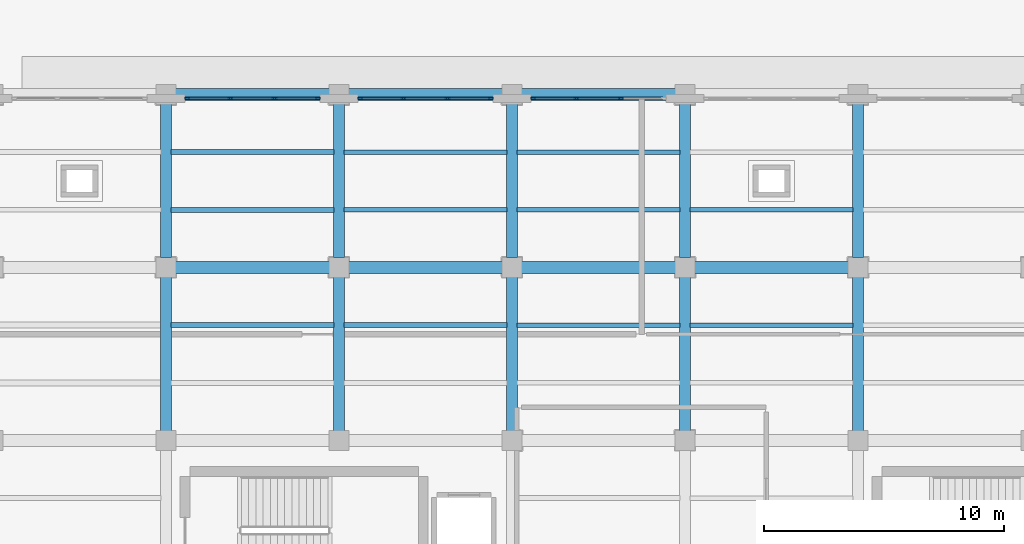
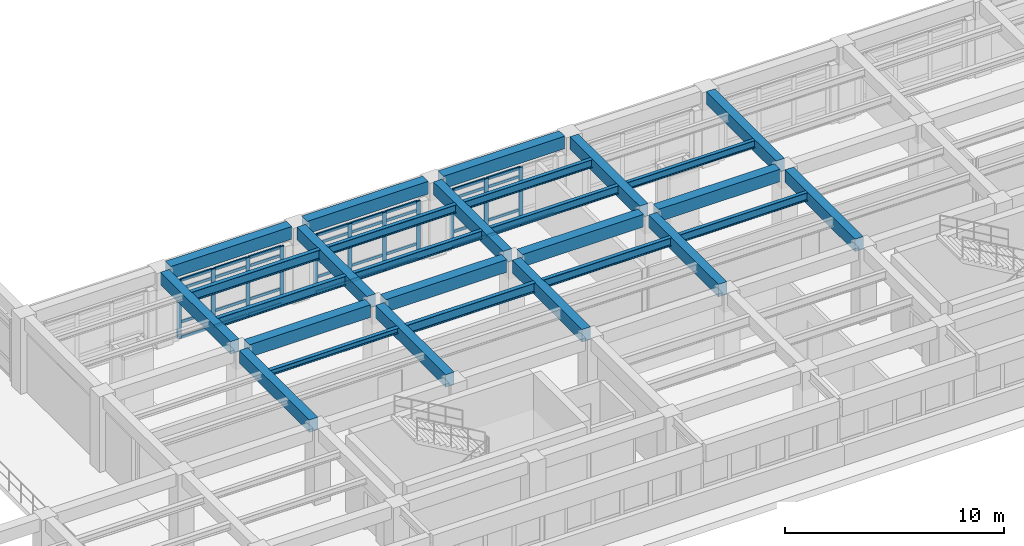
# One storey, part 43 of 98: 44 members, 28 beams, 3 elements without a shape of their own.
"""IFC4 building model written with IfcOpenShell, lengths in metres."""

from ifc_helpers import new_model, si_unit, direction, frame, origin, origin_2d, place, context, subcontext, project, spatial, rectangle, i_section, extrude, material, layer, layer_set, material_profile, profile_set, type_object, element, aggregate, save


model = new_model("IFC4")

# Units and contexts
model_context = context("Model", 3, precision=1e-05, world=origin(), true_north=direction((0.0, 1.0)))
body_context = subcontext(model_context, "Body", "Model", "MODEL_VIEW")
ifc_project = project(units=[si_unit("LENGTHUNIT", "METRE"), si_unit("AREAUNIT", "SQUARE_METRE"), si_unit("VOLUMEUNIT", "CUBIC_METRE"), si_unit("PLANEANGLEUNIT", "RADIAN"), si_unit("MASSUNIT", "GRAM", prefix="KILO")], contexts=[model_context])

# Site, building, storey
site_placement = place(None, origin())
site = spatial("IfcSite", under=ifc_project, at=site_placement, CompositionType="ELEMENT")
building_placement = place(site_placement, origin())
building = spatial("IfcBuilding", under=site, at=building_placement, Name="Solenvale Faculty of Natural Sciences", CompositionType="ELEMENT")
storey_placement = place(building_placement, frame((0.0, 0.0, 9.0)))
storey = spatial("IfcBuildingStorey", under=building, at=storey_placement, Name="L02", CompositionType="ELEMENT", Elevation=9.0)

# Beams
ifc_material_1 = material(Name="Concrete 40 MPa", Category="concrete")
ifc_material_profile_1 = material_profile(ifc_material_1, rectangle(XDim=0.449951171875, YDim=0.699951171875, at=origin_2d()), Name="RC-BM-450x700")
ifc_profile_set_1 = profile_set([ifc_material_profile_1], Name="Concrete 40 MPa")
beam_type_1 = type_object("IfcBeamType", Name="BM-RC-450x700", PredefinedType="BEAM", material=ifc_profile_set_1)
for number, where, z_axis, x_axis, name in (
    (1, (64.800048828125, 29.205078125, 3.8701171875), (0.0, 1.0, 0.0), (-1.0, 0.0, 0.0), "L02 Y-Girder X64.8 (28.8..36.0)"),
    (2, (64.800048828125, 36.405029296875, 3.8701171875), (0.0, 1.0, 0.0), (-1.0, 0.0, 0.0), "L02 Y-Girder X64.8 (36.0..43.2)"),
    (3, (72.0, 29.205078125, 3.8701171875), (0.0, 1.0, 0.0), (-1.0, 0.0, 0.0), "L02 Y-Girder X72.0 (28.8..36.0)"),
    (4, (72.0, 36.405029296875, 3.8701171875), (0.0, 1.0, 0.0), (-1.0, 0.0, 0.0), "L02 Y-Girder X72.0 (36.0..43.2)"),
    (5, (79.199951171875, 29.205078125, 3.8701171875), (0.0, 1.0, 0.0), (-1.0, 0.0, 0.0), "L02 Y-Girder X79.2 (28.8..36.0)"),
    (6, (79.199951171875, 36.405029296875, 3.8701171875), (0.0, 1.0, 0.0), (-1.0, 0.0, 0.0), "L02 Y-Girder X79.2 (36.0..43.2)"),
    (7, (86.39990234375, 29.205078125, 3.8701171875), (0.0, 1.0, 0.0), (-1.0, 0.0, 0.0), "L02 Y-Girder X86.4 (28.8..36.0)"),
    (8, (86.39990234375, 36.405029296875, 3.8701171875), (0.0, 1.0, 0.0), (-1.0, 0.0, 0.0), "L02 Y-Girder X86.4 (36.0..43.2)"),
    (9, (93.60009765625, 29.205078125, 3.8701171875), (0.0, 1.0, 0.0), (-1.0, 0.0, 0.0), "L02 Y-Girder X93.6 (28.8..36.0)"),
    (10, (93.60009765625, 36.405029296875, 3.8701171875), (0.0, 1.0, 0.0), (-1.0, 0.0, 0.0), "L02 Y-Girder X93.6 (36.0..43.2)"),
):
    element("IfcBeam", number, at=place(storey_placement, frame(where, z_axis=z_axis, x_axis=x_axis)), inside=storey, type_object=beam_type_1, Name=name, PredefinedType="BEAM", context=body_context, shape_type="SweptSolid", body=[
        extrude(rectangle(XDim=0.449951171875, YDim=0.699951171875, at=origin_2d()), origin(), (0.0, 0.0, 1.0), 6.389892578125),
    ])
ifc_material_profile_2 = material_profile(ifc_material_1, rectangle(XDim=0.5, YDim=0.699951171875, at=origin_2d()), Name="RC-BM-500x700")
ifc_profile_set_2 = profile_set([ifc_material_profile_2], Name="Concrete 40 MPa")
beam_type_2 = type_object("IfcBeamType", Name="BM-RC-500x700", PredefinedType="BEAM", material=ifc_profile_set_2)
for number, where, z_axis, x_axis, name in (
    (11, (65.205078125, 36.0, 3.8701171875), (1.0, 0.0, 0.0), (0.0, 1.0, 0.0), "L02 X-Girder Y36.0 (64.8..72.0)"),
    (12, (72.405029296875, 36.0, 3.8701171875), (1.0, 0.0, 0.0), (0.0, 1.0, 0.0), "L02 X-Girder Y36.0 (72.0..79.2)"),
):
    element("IfcBeam", number, at=place(storey_placement, frame(where, z_axis=z_axis, x_axis=x_axis)), inside=storey, type_object=beam_type_2, Name=name, PredefinedType="BEAM", context=body_context, shape_type="SweptSolid", body=[
        extrude(rectangle(XDim=0.5, YDim=0.699951171875, at=origin_2d()), origin(), (0.0, 0.0, 1.0), 6.389892578125),
    ])
for number, where, z_axis, x_axis, name in (
    (13, (79.60498046875, 36.0, 3.8701171875), (1.0, 0.0, 0.0), (0.0, 1.0, 0.0), "L02 X-Girder Y36.0 (79.2..86.4)"),
    (14, (86.804931640625, 36.0, 3.8701171875), (1.0, 0.0, 0.0), (0.0, 1.0, 0.0), "L02 X-Girder Y36.0 (86.4..93.6)"),
):
    element("IfcBeam", number, at=place(storey_placement, frame(where, z_axis=z_axis, x_axis=x_axis)), inside=storey, type_object=beam_type_2, Name=name, PredefinedType="BEAM", context=body_context, shape_type="SweptSolid", body=[
        extrude(rectangle(XDim=0.5, YDim=0.699951171875, at=origin_2d()), origin(), (0.0, 0.0, 1.0), 6.39013671875),
    ])
for number, where, z_axis, x_axis, name in (
    (15, (65.205078125, 43.199951171875, 3.8701171875), (1.0, 0.0, 0.0), (0.0, 1.0, 0.0), "L02 X-Girder Y43.2 (64.8..72.0)"),
    (16, (72.405029296875, 43.199951171875, 3.8701171875), (1.0, 0.0, 0.0), (0.0, 1.0, 0.0), "L02 X-Girder Y43.2 (72.0..79.2)"),
):
    element("IfcBeam", number, at=place(storey_placement, frame(where, z_axis=z_axis, x_axis=x_axis)), inside=storey, type_object=beam_type_2, Name=name, PredefinedType="BEAM", context=body_context, shape_type="SweptSolid", body=[
        extrude(rectangle(XDim=0.5, YDim=0.699951171875, at=origin_2d()), origin(), (0.0, 0.0, 1.0), 6.389892578125),
    ])
beam_1_placement = place(storey_placement, frame((79.60498046875, 43.199951171875, 3.8701171875), z_axis=(1.0, 0.0, 0.0), x_axis=(0.0, 1.0, 0.0)))
element("IfcBeam", 17, at=beam_1_placement, inside=storey, type_object=beam_type_2, Name="L02 X-Girder Y43.2 (79.2..86.4)", PredefinedType="BEAM", context=body_context, shape_type="SweptSolid", body=[
    extrude(rectangle(XDim=0.5, YDim=0.699951171875, at=origin_2d()), origin(), (0.0, 0.0, 1.0), 6.39013671875),
])
ifc_material_2 = material(Name="Steel S355", Category="steel")
ifc_material_profile_3 = material_profile(ifc_material_2, i_section(OverallWidth=0.202880859375, OverallDepth=0.302978515625, WebThickness=0.007568359375, FlangeThickness=0.01318359375, FilletRadius=0.014892578125, at=origin_2d()), Name="W310x60")
ifc_profile_set_3 = profile_set([ifc_material_profile_3], Name="Steel S355")
beam_type_3 = type_object("IfcBeamType", Name="BM-STL-W310x60", PredefinedType="JOIST", material=ifc_profile_set_3)
beam_2_placement = place(storey_placement, frame((65.0048828125, 33.60009765625, 4.068603515625), z_axis=(1.0, 0.0, 0.0), x_axis=(0.0, 1.0, 0.0)))
element("IfcBeam", 18, at=beam_2_placement, inside=storey, type_object=beam_type_3, Name="L02 Composite Floor Joist (10,5).2", PredefinedType="JOIST", context=body_context, shape_type="SweptSolid", body=[
    extrude(i_section(OverallWidth=0.202880859375, OverallDepth=0.302978515625, WebThickness=0.007568359375, FlangeThickness=0.01318359375, FilletRadius=0.014892578125, at=origin_2d()), origin(), (0.0, 0.0, 1.0), 6.7900390625),
])
ifc_material_profile_4 = material_profile(ifc_material_2, i_section(OverallWidth=0.180908203125, OverallDepth=0.4169921875, WebThickness=0.010986328125, FlangeThickness=0.018310546875, FilletRadius=0.01611328125, at=origin_2d()), Name="W410x85")
ifc_profile_set_4 = profile_set([ifc_material_profile_4], Name="Steel S355")
beam_type_4 = type_object("IfcBeamType", Name="BM-STL-W410x85", PredefinedType="JOIST", material=ifc_profile_set_4)
beam_3_placement = place(storey_placement, frame((86.60498046875, 38.39990234375, 4.011474609375), z_axis=(1.0, 0.0, 0.0), x_axis=(0.0, 1.0, 0.0)))
element("IfcBeam", 19, at=beam_3_placement, inside=storey, type_object=beam_type_4, Name="L02 Composite Floor Joist (13,6).1", PredefinedType="JOIST", context=body_context, shape_type="SweptSolid", body=[
    extrude(i_section(OverallWidth=0.180908203125, OverallDepth=0.4169921875, WebThickness=0.010986328125, FlangeThickness=0.018310546875, FilletRadius=0.01611328125, at=origin_2d()), origin(), (0.0, 0.0, 1.0), 6.7900390625),
])
ifc_material_profile_5 = material_profile(ifc_material_2, i_section(OverallWidth=0.194091796875, OverallDepth=0.468994140625, WebThickness=0.0126953125, FlangeThickness=0.0205078125, FilletRadius=0.01806640625, at=origin_2d()), Name="W460x106")
ifc_profile_set_5 = profile_set([ifc_material_profile_5], Name="Steel S355")
beam_type_5 = type_object("IfcBeamType", Name="BM-STL-W460x106", PredefinedType="JOIST", material=ifc_profile_set_5)
for number, where, z_axis, x_axis, name in (
    (20, (72.205078125, 38.39990234375, 3.985595703125), (1.0, 0.0, 0.0), (0.0, 1.0, 0.0), "L02 Composite Floor Joist (11,6).1"),
    (21, (72.205078125, 40.800048828125, 3.985595703125), (1.0, 0.0, 0.0), (0.0, 1.0, 0.0), "L02 Composite Floor Joist (11,6).2"),
    (22, (79.405029296875, 33.60009765625, 3.985595703125), (1.0, 0.0, 0.0), (0.0, 1.0, 0.0), "L02 Composite Floor Joist (12,5).2"),
):
    element("IfcBeam", number, at=place(storey_placement, frame(where, z_axis=z_axis, x_axis=x_axis)), inside=storey, type_object=beam_type_5, Name=name, PredefinedType="JOIST", context=body_context, shape_type="SweptSolid", body=[
        extrude(i_section(OverallWidth=0.194091796875, OverallDepth=0.468994140625, WebThickness=0.0126953125, FlangeThickness=0.0205078125, FilletRadius=0.01806640625, at=origin_2d()), origin(), (0.0, 0.0, 1.0), 6.7900390625),
    ])
ifc_material_profile_6 = material_profile(ifc_material_2, i_section(OverallWidth=0.19091796875, OverallDepth=0.4599609375, WebThickness=0.010009765625, FlangeThickness=0.01611328125, FilletRadius=0.01806640625, at=origin_2d()), Name="W460x82")
ifc_profile_set_6 = profile_set([ifc_material_profile_6], Name="Steel S355")
beam_type_6 = type_object("IfcBeamType", Name="BM-STL-W460x82", PredefinedType="JOIST", material=ifc_profile_set_6)
for number, where, z_axis, x_axis, name in (
    (23, (79.405029296875, 38.39990234375, 3.989990234375), (1.0, 0.0, 0.0), (0.0, 1.0, 0.0), "L02 Composite Floor Joist (12,6).1"),
    (24, (79.405029296875, 40.800048828125, 3.989990234375), (1.0, 0.0, 0.0), (0.0, 1.0, 0.0), "L02 Composite Floor Joist (12,6).2"),
    (25, (86.60498046875, 33.60009765625, 3.989990234375), (1.0, 0.0, 0.0), (0.0, 1.0, 0.0), "L02 Composite Floor Joist (13,5).2"),
):
    element("IfcBeam", number, at=place(storey_placement, frame(where, z_axis=z_axis, x_axis=x_axis)), inside=storey, type_object=beam_type_6, Name=name, PredefinedType="JOIST", context=body_context, shape_type="SweptSolid", body=[
        extrude(i_section(OverallWidth=0.19091796875, OverallDepth=0.4599609375, WebThickness=0.010009765625, FlangeThickness=0.01611328125, FilletRadius=0.01806640625, at=origin_2d()), origin(), (0.0, 0.0, 1.0), 6.7900390625),
    ])
ifc_material_profile_7 = material_profile(ifc_material_2, i_section(OverallWidth=0.208984375, OverallDepth=0.532958984375, WebThickness=0.01025390625, FlangeThickness=0.015625, FilletRadius=0.01904296875, at=origin_2d()), Name="W530x92")
ifc_profile_set_7 = profile_set([ifc_material_profile_7], Name="Steel S355")
beam_type_7 = type_object("IfcBeamType", Name="BM-STL-W530x92", PredefinedType="JOIST", material=ifc_profile_set_7)
for number, where, z_axis, x_axis, name in (
    (26, (65.0048828125, 38.39990234375, 3.95361328125), (1.0, 0.0, 0.0), (0.0, 1.0, 0.0), "L02 Composite Floor Joist (10,6).1"),
    (27, (65.0048828125, 40.800048828125, 3.95361328125), (1.0, 0.0, 0.0), (0.0, 1.0, 0.0), "L02 Composite Floor Joist (10,6).2"),
    (28, (72.205078125, 33.60009765625, 3.95361328125), (1.0, 0.0, 0.0), (0.0, 1.0, 0.0), "L02 Composite Floor Joist (11,5).2"),
):
    element("IfcBeam", number, at=place(storey_placement, frame(where, z_axis=z_axis, x_axis=x_axis)), inside=storey, type_object=beam_type_7, Name=name, PredefinedType="JOIST", context=body_context, shape_type="SweptSolid", body=[
        extrude(i_section(OverallWidth=0.208984375, OverallDepth=0.532958984375, WebThickness=0.01025390625, FlangeThickness=0.015625, FilletRadius=0.01904296875, at=origin_2d()), origin(), (0.0, 0.0, 1.0), 6.7900390625),
    ])

# Curtain wall, members
ifc_material_3 = material(Name="Anodised bronze aluminium", Category="aluminium")
ifc_layer = layer(ifc_material_3, 0.18994140625)
ifc_layer_set = layer_set([ifc_layer], Name="Anodised bronze aluminium")
curtain_wall_type = type_object("IfcCurtainWallType", Name="CW-TRAY-REC", PredefinedType="USERDEFINED", material=ifc_layer_set)
curtain_wall_1_placement = place(storey_placement, origin())
curtain_wall_1 = element("IfcCurtainWall", 29, at=curtain_wall_1_placement, inside=storey, type_object=curtain_wall_type, Name="L02 Curtain Wall CW-L02-P1-E6-B5", ObjectType="UNITISED CURTAIN WALL", PredefinedType="USERDEFINED")
ifc_material_profile_8 = material_profile(ifc_material_3, rectangle(XDim=0.074951171875, YDim=0.2099609375, at=origin_2d()), Name="ALU-MUL-75x210")
ifc_profile_set_8 = profile_set([ifc_material_profile_8], Name="Anodised bronze aluminium")
member_type_1 = type_object("IfcMemberType", Name="CWM-ALU-75x210", PredefinedType="MULLION", material=ifc_profile_set_8)
member_1_placement = place(storey_placement, frame((83.716552734375, 43.03759765625, 0.0), z_axis=(0.0, 0.0, 1.0), x_axis=(0.0, -1.0, 0.0)))
member_1 = element("IfcMember", 30, at=member_1_placement, type_object=member_type_1, Name="CW-02 mullion 2", PredefinedType="MULLION", context=body_context, shape_type="SweptSolid", body=[
    extrude(rectangle(XDim=0.074951171875, YDim=0.2099609375, at=origin_2d()), origin(), (0.0, 0.0, 1.0), 3.260009765625),
])
member_2_placement = place(storey_placement, frame((81.88330078125, 43.03759765625, 0.0), z_axis=(0.0, 0.0, 1.0), x_axis=(0.0, -1.0, 0.0)))
member_2 = element("IfcMember", 31, at=member_2_placement, type_object=member_type_1, Name="CW-02 mullion 3", PredefinedType="MULLION", context=body_context, shape_type="SweptSolid", body=[
    extrude(rectangle(XDim=0.074951171875, YDim=0.2099609375, at=origin_2d()), origin(), (0.0, 0.0, 1.0), 3.260009765625),
])
member_3_placement = place(storey_placement, frame((80.08740234375, 43.03759765625, 0.0), z_axis=(0.0, 0.0, 1.0), x_axis=(0.0, -1.0, 0.0)))
member_3 = element("IfcMember", 32, at=member_3_placement, type_object=member_type_1, Name="CW-02 mullion 4", PredefinedType="MULLION", context=body_context, shape_type="SweptSolid", body=[
    extrude(rectangle(XDim=0.074951171875, YDim=0.2099609375, at=origin_2d()), origin(), (0.0, 0.0, 1.0), 3.260009765625),
])

curtain_wall_2_placement = place(storey_placement, origin())
curtain_wall_2 = element("IfcCurtainWall", 33, at=curtain_wall_2_placement, inside=storey, type_object=curtain_wall_type, Name="L02 Curtain Wall CW-L02-P1-E6-B6", ObjectType="UNITISED CURTAIN WALL", PredefinedType="USERDEFINED")
member_4_placement = place(storey_placement, frame((78.3125, 43.03759765625, 0.0), z_axis=(0.0, 0.0, 1.0), x_axis=(0.0, -1.0, 0.0)))
member_4 = element("IfcMember", 34, at=member_4_placement, type_object=member_type_1, Name="CW-02 mullion 1", PredefinedType="MULLION", context=body_context, shape_type="SweptSolid", body=[
    extrude(rectangle(XDim=0.074951171875, YDim=0.2099609375, at=origin_2d()), origin(), (0.0, 0.0, 1.0), 3.260009765625),
])
member_5_placement = place(storey_placement, frame((76.5166015625, 43.03759765625, 0.0), z_axis=(0.0, 0.0, 1.0), x_axis=(0.0, -1.0, 0.0)))
member_5 = element("IfcMember", 35, at=member_5_placement, type_object=member_type_1, Name="CW-02 mullion 2", PredefinedType="MULLION", context=body_context, shape_type="SweptSolid", body=[
    extrude(rectangle(XDim=0.074951171875, YDim=0.2099609375, at=origin_2d()), origin(), (0.0, 0.0, 1.0), 3.260009765625),
])
member_6_placement = place(storey_placement, frame((74.683349609375, 43.03759765625, 0.0), z_axis=(0.0, 0.0, 1.0), x_axis=(0.0, -1.0, 0.0)))
member_6 = element("IfcMember", 36, at=member_6_placement, type_object=member_type_1, Name="CW-02 mullion 3", PredefinedType="MULLION", context=body_context, shape_type="SweptSolid", body=[
    extrude(rectangle(XDim=0.074951171875, YDim=0.2099609375, at=origin_2d()), origin(), (0.0, 0.0, 1.0), 3.260009765625),
])
member_7_placement = place(storey_placement, frame((72.887451171875, 43.03759765625, 0.0), z_axis=(0.0, 0.0, 1.0), x_axis=(0.0, -1.0, 0.0)))
member_7 = element("IfcMember", 37, at=member_7_placement, type_object=member_type_1, Name="CW-02 mullion 4", PredefinedType="MULLION", context=body_context, shape_type="SweptSolid", body=[
    extrude(rectangle(XDim=0.074951171875, YDim=0.2099609375, at=origin_2d()), origin(), (0.0, 0.0, 1.0), 3.260009765625),
])

curtain_wall_3_placement = place(storey_placement, origin())
curtain_wall_3 = element("IfcCurtainWall", 38, at=curtain_wall_3_placement, inside=storey, type_object=curtain_wall_type, Name="L02 Curtain Wall CW-L02-P1-E6-B7", ObjectType="UNITISED CURTAIN WALL", PredefinedType="USERDEFINED")
member_8_placement = place(storey_placement, frame((71.112548828125, 43.03759765625, 0.0), z_axis=(0.0, 0.0, 1.0), x_axis=(0.0, -1.0, 0.0)))
member_8 = element("IfcMember", 39, at=member_8_placement, type_object=member_type_1, Name="CW-02 mullion 1", PredefinedType="MULLION", context=body_context, shape_type="SweptSolid", body=[
    extrude(rectangle(XDim=0.074951171875, YDim=0.2099609375, at=origin_2d()), origin(), (0.0, 0.0, 1.0), 3.260009765625),
])
member_9_placement = place(storey_placement, frame((69.316650390625, 43.03759765625, 0.0), z_axis=(0.0, 0.0, 1.0), x_axis=(0.0, -1.0, 0.0)))
member_9 = element("IfcMember", 40, at=member_9_placement, type_object=member_type_1, Name="CW-02 mullion 2", PredefinedType="MULLION", context=body_context, shape_type="SweptSolid", body=[
    extrude(rectangle(XDim=0.074951171875, YDim=0.2099609375, at=origin_2d()), origin(), (0.0, 0.0, 1.0), 3.260009765625),
])
member_10_placement = place(storey_placement, frame((67.4833984375, 43.03759765625, 0.0), z_axis=(0.0, 0.0, 1.0), x_axis=(0.0, -1.0, 0.0)))
member_10 = element("IfcMember", 41, at=member_10_placement, type_object=member_type_1, Name="CW-02 mullion 3", PredefinedType="MULLION", context=body_context, shape_type="SweptSolid", body=[
    extrude(rectangle(XDim=0.074951171875, YDim=0.2099609375, at=origin_2d()), origin(), (0.0, 0.0, 1.0), 3.260009765625),
])
member_11_placement = place(storey_placement, frame((65.6875, 43.03759765625, 0.0), z_axis=(0.0, 0.0, 1.0), x_axis=(0.0, -1.0, 0.0)))
member_11 = element("IfcMember", 42, at=member_11_placement, type_object=member_type_1, Name="CW-02 mullion 4", PredefinedType="MULLION", context=body_context, shape_type="SweptSolid", body=[
    extrude(rectangle(XDim=0.074951171875, YDim=0.2099609375, at=origin_2d()), origin(), (0.0, 0.0, 1.0), 3.260009765625),
])

# Member
ifc_material_profile_9 = material_profile(ifc_material_3, rectangle(XDim=0.074951171875, YDim=0.155029296875, at=origin_2d()), Name="ALU-TRN-75x155")
ifc_profile_set_9 = profile_set([ifc_material_profile_9], Name="Anodised bronze aluminium")
member_type_2 = type_object("IfcMemberType", Name="CWT-ALU-75x155", PredefinedType="USERDEFINED", material=ifc_profile_set_9)
member_12_placement = place(storey_placement, frame((85.47509765625, 43.03759765625, 0.03759765625), z_axis=(-1.0, 0.0, 0.0), x_axis=(0.0, -1.0, 0.0)))
member_12 = element("IfcMember", 43, at=member_12_placement, type_object=member_type_2, Name="CW-02 transom 1.1", ObjectType="TRANSOM", PredefinedType="USERDEFINED", context=body_context, shape_type="SweptSolid", body=[
    extrude(rectangle(XDim=0.074951171875, YDim=0.155029296875, at=origin_2d()), origin(), (0.0, 0.0, 1.0), 1.720947265625),
])

member_13_placement = place(storey_placement, frame((83.67919921875, 43.03759765625, 0.03759765625), z_axis=(-1.0, 0.0, 0.0), x_axis=(0.0, -1.0, 0.0)))
member_13 = element("IfcMember", 44, at=member_13_placement, type_object=member_type_2, Name="CW-02 transom 2.1", ObjectType="TRANSOM", PredefinedType="USERDEFINED", context=body_context, shape_type="SweptSolid", body=[
    extrude(rectangle(XDim=0.074951171875, YDim=0.155029296875, at=origin_2d()), origin(), (0.0, 0.0, 1.0), 1.75830078125),
])

member_14_placement = place(storey_placement, frame((83.67919921875, 43.03759765625, 0.89990234375), z_axis=(-1.0, 0.0, 0.0), x_axis=(0.0, -1.0, 0.0)))
member_14 = element("IfcMember", 45, at=member_14_placement, type_object=member_type_2, Name="CW-02 transom 2.2", ObjectType="TRANSOM", PredefinedType="USERDEFINED", context=body_context, shape_type="SweptSolid", body=[
    extrude(rectangle(XDim=0.074951171875, YDim=0.155029296875, at=origin_2d()), origin(), (0.0, 0.0, 1.0), 1.75830078125),
])

member_15_placement = place(storey_placement, frame((83.67919921875, 43.03759765625, 2.760009765625), z_axis=(-1.0, 0.0, 0.0), x_axis=(0.0, -1.0, 0.0)))
member_15 = element("IfcMember", 46, at=member_15_placement, type_object=member_type_2, Name="CW-02 transom 2.3", ObjectType="TRANSOM", PredefinedType="USERDEFINED", context=body_context, shape_type="SweptSolid", body=[
    extrude(rectangle(XDim=0.074951171875, YDim=0.155029296875, at=origin_2d()), origin(), (0.0, 0.0, 1.0), 1.75830078125),
])

member_16_placement = place(storey_placement, frame((83.67919921875, 43.03759765625, 3.222412109375), z_axis=(-1.0, 0.0, 0.0), x_axis=(0.0, -1.0, 0.0)))
member_16 = element("IfcMember", 47, at=member_16_placement, type_object=member_type_2, Name="CW-02 transom 2.4", ObjectType="TRANSOM", PredefinedType="USERDEFINED", context=body_context, shape_type="SweptSolid", body=[
    extrude(rectangle(XDim=0.074951171875, YDim=0.155029296875, at=origin_2d()), origin(), (0.0, 0.0, 1.0), 1.75830078125),
])

member_17_placement = place(storey_placement, frame((81.845947265625, 43.03759765625, 0.03759765625), z_axis=(-1.0, 0.0, 0.0), x_axis=(0.0, -1.0, 0.0)))
member_17 = element("IfcMember", 48, at=member_17_placement, type_object=member_type_2, Name="CW-02 transom 3.1", ObjectType="TRANSOM", PredefinedType="USERDEFINED", context=body_context, shape_type="SweptSolid", body=[
    extrude(rectangle(XDim=0.074951171875, YDim=0.155029296875, at=origin_2d()), origin(), (0.0, 0.0, 1.0), 1.720947265625),
])

member_18_placement = place(storey_placement, frame((81.845947265625, 43.03759765625, 0.89990234375), z_axis=(-1.0, 0.0, 0.0), x_axis=(0.0, -1.0, 0.0)))
member_18 = element("IfcMember", 49, at=member_18_placement, type_object=member_type_2, Name="CW-02 transom 3.2", ObjectType="TRANSOM", PredefinedType="USERDEFINED", context=body_context, shape_type="SweptSolid", body=[
    extrude(rectangle(XDim=0.074951171875, YDim=0.155029296875, at=origin_2d()), origin(), (0.0, 0.0, 1.0), 1.720947265625),
])

member_19_placement = place(storey_placement, frame((81.845947265625, 43.03759765625, 2.760009765625), z_axis=(-1.0, 0.0, 0.0), x_axis=(0.0, -1.0, 0.0)))
member_19 = element("IfcMember", 50, at=member_19_placement, type_object=member_type_2, Name="CW-02 transom 3.3", ObjectType="TRANSOM", PredefinedType="USERDEFINED", context=body_context, shape_type="SweptSolid", body=[
    extrude(rectangle(XDim=0.074951171875, YDim=0.155029296875, at=origin_2d()), origin(), (0.0, 0.0, 1.0), 1.720947265625),
])

member_20_placement = place(storey_placement, frame((81.845947265625, 43.03759765625, 3.222412109375), z_axis=(-1.0, 0.0, 0.0), x_axis=(0.0, -1.0, 0.0)))
member_20 = element("IfcMember", 51, at=member_20_placement, type_object=member_type_2, Name="CW-02 transom 3.4", ObjectType="TRANSOM", PredefinedType="USERDEFINED", context=body_context, shape_type="SweptSolid", body=[
    extrude(rectangle(XDim=0.074951171875, YDim=0.155029296875, at=origin_2d()), origin(), (0.0, 0.0, 1.0), 1.720947265625),
])

aggregate(curtain_wall_1, [member_1, member_2, member_3, member_12, member_13, member_14, member_15, member_16, member_17, member_18, member_19, member_20])

member_21_placement = place(storey_placement, frame((78.27490234375, 43.03759765625, 0.03759765625), z_axis=(-1.0, 0.0, 0.0), x_axis=(0.0, -1.0, 0.0)))
member_21 = element("IfcMember", 52, at=member_21_placement, type_object=member_type_2, Name="CW-02 transom 1.1", ObjectType="TRANSOM", PredefinedType="USERDEFINED", context=body_context, shape_type="SweptSolid", body=[
    extrude(rectangle(XDim=0.074951171875, YDim=0.155029296875, at=origin_2d()), origin(), (0.0, 0.0, 1.0), 1.720703125),
])

member_22_placement = place(storey_placement, frame((78.27490234375, 43.03759765625, 0.89990234375), z_axis=(-1.0, 0.0, 0.0), x_axis=(0.0, -1.0, 0.0)))
member_22 = element("IfcMember", 53, at=member_22_placement, type_object=member_type_2, Name="CW-02 transom 1.2", ObjectType="TRANSOM", PredefinedType="USERDEFINED", context=body_context, shape_type="SweptSolid", body=[
    extrude(rectangle(XDim=0.074951171875, YDim=0.155029296875, at=origin_2d()), origin(), (0.0, 0.0, 1.0), 1.720703125),
])

member_23_placement = place(storey_placement, frame((78.27490234375, 43.03759765625, 2.760009765625), z_axis=(-1.0, 0.0, 0.0), x_axis=(0.0, -1.0, 0.0)))
member_23 = element("IfcMember", 54, at=member_23_placement, type_object=member_type_2, Name="CW-02 transom 1.3", ObjectType="TRANSOM", PredefinedType="USERDEFINED", context=body_context, shape_type="SweptSolid", body=[
    extrude(rectangle(XDim=0.074951171875, YDim=0.155029296875, at=origin_2d()), origin(), (0.0, 0.0, 1.0), 1.720703125),
])

member_24_placement = place(storey_placement, frame((78.27490234375, 43.03759765625, 3.222412109375), z_axis=(-1.0, 0.0, 0.0), x_axis=(0.0, -1.0, 0.0)))
member_24 = element("IfcMember", 55, at=member_24_placement, type_object=member_type_2, Name="CW-02 transom 1.4", ObjectType="TRANSOM", PredefinedType="USERDEFINED", context=body_context, shape_type="SweptSolid", body=[
    extrude(rectangle(XDim=0.074951171875, YDim=0.155029296875, at=origin_2d()), origin(), (0.0, 0.0, 1.0), 1.720703125),
])

member_25_placement = place(storey_placement, frame((76.479248046875, 43.03759765625, 0.03759765625), z_axis=(-1.0, 0.0, 0.0), x_axis=(0.0, -1.0, 0.0)))
member_25 = element("IfcMember", 56, at=member_25_placement, type_object=member_type_2, Name="CW-02 transom 2.1", ObjectType="TRANSOM", PredefinedType="USERDEFINED", context=body_context, shape_type="SweptSolid", body=[
    extrude(rectangle(XDim=0.074951171875, YDim=0.155029296875, at=origin_2d()), origin(), (0.0, 0.0, 1.0), 1.75830078125),
])

member_26_placement = place(storey_placement, frame((76.479248046875, 43.03759765625, 0.89990234375), z_axis=(-1.0, 0.0, 0.0), x_axis=(0.0, -1.0, 0.0)))
member_26 = element("IfcMember", 57, at=member_26_placement, type_object=member_type_2, Name="CW-02 transom 2.2", ObjectType="TRANSOM", PredefinedType="USERDEFINED", context=body_context, shape_type="SweptSolid", body=[
    extrude(rectangle(XDim=0.074951171875, YDim=0.155029296875, at=origin_2d()), origin(), (0.0, 0.0, 1.0), 1.75830078125),
])

member_27_placement = place(storey_placement, frame((76.479248046875, 43.03759765625, 2.760009765625), z_axis=(-1.0, 0.0, 0.0), x_axis=(0.0, -1.0, 0.0)))
member_27 = element("IfcMember", 58, at=member_27_placement, type_object=member_type_2, Name="CW-02 transom 2.3", ObjectType="TRANSOM", PredefinedType="USERDEFINED", context=body_context, shape_type="SweptSolid", body=[
    extrude(rectangle(XDim=0.074951171875, YDim=0.155029296875, at=origin_2d()), origin(), (0.0, 0.0, 1.0), 1.75830078125),
])

member_28_placement = place(storey_placement, frame((76.479248046875, 43.03759765625, 3.222412109375), z_axis=(-1.0, 0.0, 0.0), x_axis=(0.0, -1.0, 0.0)))
member_28 = element("IfcMember", 59, at=member_28_placement, type_object=member_type_2, Name="CW-02 transom 2.4", ObjectType="TRANSOM", PredefinedType="USERDEFINED", context=body_context, shape_type="SweptSolid", body=[
    extrude(rectangle(XDim=0.074951171875, YDim=0.155029296875, at=origin_2d()), origin(), (0.0, 0.0, 1.0), 1.75830078125),
])

member_29_placement = place(storey_placement, frame((74.645751953125, 43.03759765625, 0.03759765625), z_axis=(-1.0, 0.0, 0.0), x_axis=(0.0, -1.0, 0.0)))
member_29 = element("IfcMember", 60, at=member_29_placement, type_object=member_type_2, Name="CW-02 transom 3.1", ObjectType="TRANSOM", PredefinedType="USERDEFINED", context=body_context, shape_type="SweptSolid", body=[
    extrude(rectangle(XDim=0.074951171875, YDim=0.155029296875, at=origin_2d()), origin(), (0.0, 0.0, 1.0), 1.720703125),
])

member_30_placement = place(storey_placement, frame((74.645751953125, 43.03759765625, 0.89990234375), z_axis=(-1.0, 0.0, 0.0), x_axis=(0.0, -1.0, 0.0)))
member_30 = element("IfcMember", 61, at=member_30_placement, type_object=member_type_2, Name="CW-02 transom 3.2", ObjectType="TRANSOM", PredefinedType="USERDEFINED", context=body_context, shape_type="SweptSolid", body=[
    extrude(rectangle(XDim=0.074951171875, YDim=0.155029296875, at=origin_2d()), origin(), (0.0, 0.0, 1.0), 1.720703125),
])

member_31_placement = place(storey_placement, frame((74.645751953125, 43.03759765625, 2.760009765625), z_axis=(-1.0, 0.0, 0.0), x_axis=(0.0, -1.0, 0.0)))
member_31 = element("IfcMember", 62, at=member_31_placement, type_object=member_type_2, Name="CW-02 transom 3.3", ObjectType="TRANSOM", PredefinedType="USERDEFINED", context=body_context, shape_type="SweptSolid", body=[
    extrude(rectangle(XDim=0.074951171875, YDim=0.155029296875, at=origin_2d()), origin(), (0.0, 0.0, 1.0), 1.720703125),
])

member_32_placement = place(storey_placement, frame((74.645751953125, 43.03759765625, 3.222412109375), z_axis=(-1.0, 0.0, 0.0), x_axis=(0.0, -1.0, 0.0)))
member_32 = element("IfcMember", 63, at=member_32_placement, type_object=member_type_2, Name="CW-02 transom 3.4", ObjectType="TRANSOM", PredefinedType="USERDEFINED", context=body_context, shape_type="SweptSolid", body=[
    extrude(rectangle(XDim=0.074951171875, YDim=0.155029296875, at=origin_2d()), origin(), (0.0, 0.0, 1.0), 1.720703125),
])

aggregate(curtain_wall_2, [member_4, member_5, member_6, member_7, member_21, member_22, member_23, member_24, member_25, member_26, member_27, member_28, member_29, member_30, member_31, member_32])

member_33_placement = place(storey_placement, frame((71.074951171875, 43.03759765625, 0.03759765625), z_axis=(-1.0, 0.0, 0.0), x_axis=(0.0, -1.0, 0.0)))
member_33 = element("IfcMember", 64, at=member_33_placement, type_object=member_type_2, Name="CW-02 transom 1.1", ObjectType="TRANSOM", PredefinedType="USERDEFINED", context=body_context, shape_type="SweptSolid", body=[
    extrude(rectangle(XDim=0.074951171875, YDim=0.155029296875, at=origin_2d()), origin(), (0.0, 0.0, 1.0), 1.720703125),
])

member_34_placement = place(storey_placement, frame((71.074951171875, 43.03759765625, 0.89990234375), z_axis=(-1.0, 0.0, 0.0), x_axis=(0.0, -1.0, 0.0)))
member_34 = element("IfcMember", 65, at=member_34_placement, type_object=member_type_2, Name="CW-02 transom 1.2", ObjectType="TRANSOM", PredefinedType="USERDEFINED", context=body_context, shape_type="SweptSolid", body=[
    extrude(rectangle(XDim=0.074951171875, YDim=0.155029296875, at=origin_2d()), origin(), (0.0, 0.0, 1.0), 1.720703125),
])

member_35_placement = place(storey_placement, frame((71.074951171875, 43.03759765625, 2.760009765625), z_axis=(-1.0, 0.0, 0.0), x_axis=(0.0, -1.0, 0.0)))
member_35 = element("IfcMember", 66, at=member_35_placement, type_object=member_type_2, Name="CW-02 transom 1.3", ObjectType="TRANSOM", PredefinedType="USERDEFINED", context=body_context, shape_type="SweptSolid", body=[
    extrude(rectangle(XDim=0.074951171875, YDim=0.155029296875, at=origin_2d()), origin(), (0.0, 0.0, 1.0), 1.720703125),
])

member_36_placement = place(storey_placement, frame((71.074951171875, 43.03759765625, 3.222412109375), z_axis=(-1.0, 0.0, 0.0), x_axis=(0.0, -1.0, 0.0)))
member_36 = element("IfcMember", 67, at=member_36_placement, type_object=member_type_2, Name="CW-02 transom 1.4", ObjectType="TRANSOM", PredefinedType="USERDEFINED", context=body_context, shape_type="SweptSolid", body=[
    extrude(rectangle(XDim=0.074951171875, YDim=0.155029296875, at=origin_2d()), origin(), (0.0, 0.0, 1.0), 1.720703125),
])

member_37_placement = place(storey_placement, frame((69.279052734375, 43.03759765625, 0.03759765625), z_axis=(-1.0, 0.0, 0.0), x_axis=(0.0, -1.0, 0.0)))
member_37 = element("IfcMember", 68, at=member_37_placement, type_object=member_type_2, Name="CW-02 transom 2.1", ObjectType="TRANSOM", PredefinedType="USERDEFINED", context=body_context, shape_type="SweptSolid", body=[
    extrude(rectangle(XDim=0.074951171875, YDim=0.155029296875, at=origin_2d()), origin(), (0.0, 0.0, 1.0), 1.75830078125),
])

member_38_placement = place(storey_placement, frame((69.279052734375, 43.03759765625, 0.89990234375), z_axis=(-1.0, 0.0, 0.0), x_axis=(0.0, -1.0, 0.0)))
member_38 = element("IfcMember", 69, at=member_38_placement, type_object=member_type_2, Name="CW-02 transom 2.2", ObjectType="TRANSOM", PredefinedType="USERDEFINED", context=body_context, shape_type="SweptSolid", body=[
    extrude(rectangle(XDim=0.074951171875, YDim=0.155029296875, at=origin_2d()), origin(), (0.0, 0.0, 1.0), 1.75830078125),
])

member_39_placement = place(storey_placement, frame((69.279052734375, 43.03759765625, 2.760009765625), z_axis=(-1.0, 0.0, 0.0), x_axis=(0.0, -1.0, 0.0)))
member_39 = element("IfcMember", 70, at=member_39_placement, type_object=member_type_2, Name="CW-02 transom 2.3", ObjectType="TRANSOM", PredefinedType="USERDEFINED", context=body_context, shape_type="SweptSolid", body=[
    extrude(rectangle(XDim=0.074951171875, YDim=0.155029296875, at=origin_2d()), origin(), (0.0, 0.0, 1.0), 1.75830078125),
])

member_40_placement = place(storey_placement, frame((69.279052734375, 43.03759765625, 3.222412109375), z_axis=(-1.0, 0.0, 0.0), x_axis=(0.0, -1.0, 0.0)))
member_40 = element("IfcMember", 71, at=member_40_placement, type_object=member_type_2, Name="CW-02 transom 2.4", ObjectType="TRANSOM", PredefinedType="USERDEFINED", context=body_context, shape_type="SweptSolid", body=[
    extrude(rectangle(XDim=0.074951171875, YDim=0.155029296875, at=origin_2d()), origin(), (0.0, 0.0, 1.0), 1.75830078125),
])

member_41_placement = place(storey_placement, frame((67.44580078125, 43.03759765625, 0.03759765625), z_axis=(-1.0, 0.0, 0.0), x_axis=(0.0, -1.0, 0.0)))
member_41 = element("IfcMember", 72, at=member_41_placement, type_object=member_type_2, Name="CW-02 transom 3.1", ObjectType="TRANSOM", PredefinedType="USERDEFINED", context=body_context, shape_type="SweptSolid", body=[
    extrude(rectangle(XDim=0.074951171875, YDim=0.155029296875, at=origin_2d()), origin(), (0.0, 0.0, 1.0), 1.720703125),
])

member_42_placement = place(storey_placement, frame((67.44580078125, 43.03759765625, 0.89990234375), z_axis=(-1.0, 0.0, 0.0), x_axis=(0.0, -1.0, 0.0)))
member_42 = element("IfcMember", 73, at=member_42_placement, type_object=member_type_2, Name="CW-02 transom 3.2", ObjectType="TRANSOM", PredefinedType="USERDEFINED", context=body_context, shape_type="SweptSolid", body=[
    extrude(rectangle(XDim=0.074951171875, YDim=0.155029296875, at=origin_2d()), origin(), (0.0, 0.0, 1.0), 1.720703125),
])

member_43_placement = place(storey_placement, frame((67.44580078125, 43.03759765625, 2.760009765625), z_axis=(-1.0, 0.0, 0.0), x_axis=(0.0, -1.0, 0.0)))
member_43 = element("IfcMember", 74, at=member_43_placement, type_object=member_type_2, Name="CW-02 transom 3.3", ObjectType="TRANSOM", PredefinedType="USERDEFINED", context=body_context, shape_type="SweptSolid", body=[
    extrude(rectangle(XDim=0.074951171875, YDim=0.155029296875, at=origin_2d()), origin(), (0.0, 0.0, 1.0), 1.720703125),
])

member_44_placement = place(storey_placement, frame((67.44580078125, 43.03759765625, 3.222412109375), z_axis=(-1.0, 0.0, 0.0), x_axis=(0.0, -1.0, 0.0)))
member_44 = element("IfcMember", 75, at=member_44_placement, type_object=member_type_2, Name="CW-02 transom 3.4", ObjectType="TRANSOM", PredefinedType="USERDEFINED", context=body_context, shape_type="SweptSolid", body=[
    extrude(rectangle(XDim=0.074951171875, YDim=0.155029296875, at=origin_2d()), origin(), (0.0, 0.0, 1.0), 1.720703125),
])

aggregate(curtain_wall_3, [member_8, member_9, member_10, member_11, member_33, member_34, member_35, member_36, member_37, member_38, member_39, member_40, member_41, member_42, member_43, member_44])

save(model, "model.ifc")
